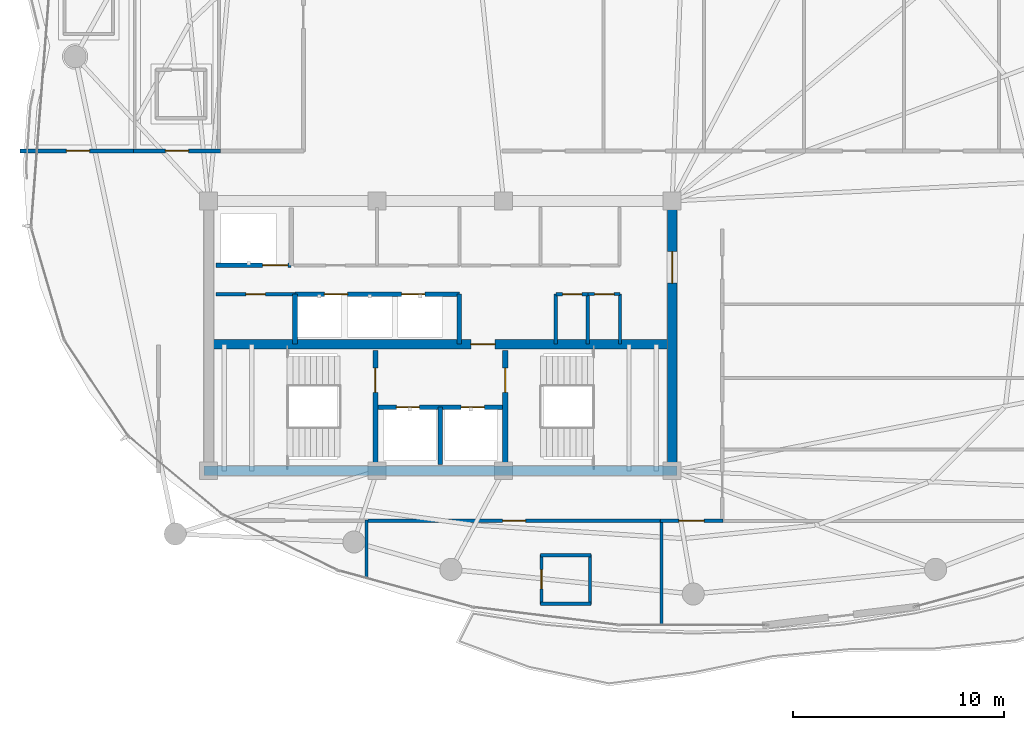
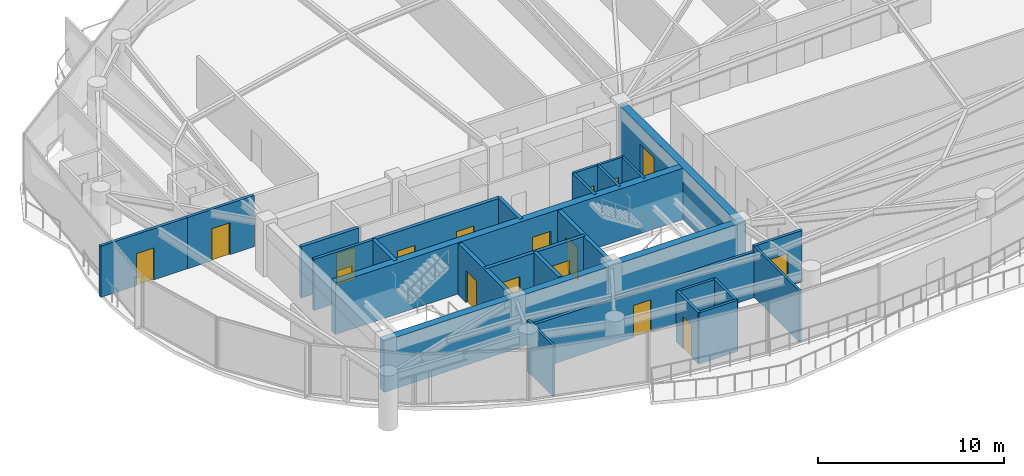
# One storey, part 25 of 31: 27 walls, 17 doors, 17 openings.
"""IFC4 building model written with IfcOpenShell, lengths in metres."""

from ifc_helpers import new_model, si_unit, direction, frame, frame_2d, origin, place, context, subcontext, project, spatial, rectangle, extrude, material, layer, layer_set, type_object, element, fill, save


model = new_model("IFC4")

# Units and contexts
model_context = context("Model", 3, precision=1e-05, world=origin(), true_north=direction((0.0, 1.0)))
body_context = subcontext(model_context, "Body", "Model", "MODEL_VIEW")
ifc_project = project(units=[si_unit("LENGTHUNIT", "METRE"), si_unit("AREAUNIT", "SQUARE_METRE"), si_unit("VOLUMEUNIT", "CUBIC_METRE"), si_unit("PLANEANGLEUNIT", "RADIAN"), si_unit("MASSUNIT", "GRAM", prefix="KILO")], contexts=[model_context])

# Site, building, storey
site_placement = place(None, origin())
site = spatial("IfcSite", under=ifc_project, at=site_placement, CompositionType="ELEMENT")
building_placement = place(site_placement, origin())
building = spatial("IfcBuilding", under=site, at=building_placement, Name="Kazevale Care Tower and Concert Hall", CompositionType="ELEMENT")
storey_placement = place(building_placement, frame((0.0, 0.0, 210.0)))
storey = spatial("IfcBuildingStorey", under=building, at=storey_placement, Name="L55", CompositionType="ELEMENT", Elevation=210.0)

# Wall
ifc_material_1 = material(Name="Acoustic Gypsum on Steel Stud", Category="steel")
ifc_layer_1 = layer(ifc_material_1, 0.139892578125)
ifc_layer_set_1 = layer_set([ifc_layer_1], Name="Acoustic Gypsum on Steel Stud")
wall_type_1 = type_object("IfcWallType", Name="Acoustic Care & Suite Partition 140", PredefinedType="PARTITIONING", material=ifc_layer_set_1)
wall_1_placement = place(storey_placement, frame((41.52001953125, 29.6201171875, 0.0), z_axis=(0.0, 0.0, 1.0), x_axis=(0.0, 1.0, 0.0)))
element("IfcWall", 1, at=wall_1_placement, inside=storey, type_object=wall_type_1, Name="wall:L55:ka_ee", PredefinedType="PARTITIONING", context=body_context, shape_type="SweptSolid", body=[
    extrude(rectangle(XDim=2.35986328125, YDim=0.139892578125, at=frame_2d((1.179931640625, 0.0))), origin(), (0.0, 0.0, 1.0), 3.360107421875),
])

# Wall, opening, door
wall_2_placement = place(storey_placement, frame((40.0, 31.97998046875, 0.0), z_axis=(0.0, 0.0, 1.0), x_axis=(1.0, 0.0, 0.0)))
wall_2 = element("IfcWall", 2, at=wall_2_placement, inside=storey, type_object=wall_type_1, Name="wall:L55:ka_en2", PredefinedType="PARTITIONING", context=body_context, shape_type="SweptSolid", body=[
    extrude(rectangle(XDim=1.52001953125, YDim=0.139892578125, at=frame_2d((0.760009765625, 0.0))), origin(), (0.0, 0.0, 1.0), 3.360107421875),
])
opening_1_placement = place(wall_2_placement, frame((0.320068359375, 0.0, 0.0)))
opening_1 = element("IfcOpeningElement", 3, at=opening_1_placement, cuts=wall_2, Name="Opening ID-900", PredefinedType="OPENING", context=body_context, shape_type="SweptSolid", body=[
    extrude(rectangle(XDim=0.919921875, YDim=2.10009765625, at=frame_2d((0.4599609375, 1.050048828125))), frame((0.0, 0.079833984375, 0.0), z_axis=(0.0, -1.0, 0.0), x_axis=(1.0, 0.0, 0.0)), (0.0, 0.0, 1.0), 0.159912109375),
])
ifc_material_2 = material(Name="Oak Timber Fire Leaf", Category="wood")
door_type_1 = type_object("IfcDoorType", Name="Bathroom & Service Door 920x2100", OperationType="NOTDEFINED", PredefinedType="DOOR", material=ifc_material_2)
door_1_placement = place(opening_1_placement, origin())
door_1 = element("IfcDoor", 4, at=door_1_placement, inside=storey, type_object=door_type_1, Name="door:L55:d_kae2", OperationType="SINGLE_SWING_RIGHT", OverallHeight=2.10009765625, OverallWidth=0.919921875, PredefinedType="DOOR", context=body_context, shape_type="SweptSolid", body=[
    extrude(rectangle(XDim=0.919921875, YDim=2.10009765625, at=frame_2d((0.4599609375, 1.050048828125))), frame((0.0, 0.02490234375, 0.0), z_axis=(0.0, -1.0, 0.0), x_axis=(1.0, 0.0, 0.0)), (0.0, 0.0, 1.0), 0.050048828125),
])
fill(opening_1, door_1)

# Walls
wall_3_placement = place(storey_placement, frame((29.5, 21.2548828125, 0.0), z_axis=(0.0, 0.0, 1.0), x_axis=(0.0, -1.0, 0.0)))
element("IfcWall", 5, at=wall_3_placement, inside=storey, type_object=wall_type_1, Name="wall:L55:auto_031", PredefinedType="PARTITIONING", context=body_context, shape_type="SweptSolid", body=[
    extrude(rectangle(XDim=2.7412109375, YDim=0.139892578125, at=frame_2d((1.37060546875, 0.0))), origin(), (0.0, 0.0, 1.0), 3.360107421875),
])
wall_4_placement = place(storey_placement, frame((43.5, 21.2548828125, 0.0), z_axis=(0.0, 0.0, 1.0), x_axis=(0.0, -1.0, 0.0)))
element("IfcWall", 6, at=wall_4_placement, inside=storey, type_object=wall_type_1, Name="wall:L55:auto_032", PredefinedType="PARTITIONING", context=body_context, shape_type="SweptSolid", body=[
    extrude(rectangle(XDim=4.9599609375, YDim=0.139892578125, at=frame_2d((2.47998046875, 0.0))), origin(), (0.0, 0.0, 1.0), 3.360107421875),
])
ifc_material_3 = material(Name="Concrete C50", Category="concrete")
ifc_layer_2 = layer(ifc_material_3, 0.449951171875)
ifc_layer_set_2 = layer_set([ifc_layer_2], Name="Concrete C50")
wall_type_2 = type_object("IfcWallType", Name="Core Shear Wall 450 C50", PredefinedType="SHEAR", material=ifc_layer_set_2)
wall_5_placement = place(storey_placement, frame((21.77490234375, 23.60009765625, 0.0), z_axis=(0.0, 0.0, 1.0), x_axis=(1.0, 0.0, 0.0)))
element("IfcWall", 7, at=wall_5_placement, inside=storey, type_object=wall_type_2, Name="wall:L55:core:S", PredefinedType="SHEAR", context=body_context, shape_type="SweptSolid", body=[
    extrude(rectangle(XDim=22.4501953125, YDim=0.449951171875, at=frame_2d((11.22509765625, 0.0))), origin(), (0.0, 0.0, 1.0), 3.360107421875),
])

# Wall, opening, door
wall_6_placement = place(storey_placement, frame((44.0, 23.824951171875, 0.0), z_axis=(0.0, 0.0, 1.0), x_axis=(0.0, 1.0, 0.0)))
wall_6 = element("IfcWall", 8, at=wall_6_placement, inside=storey, type_object=wall_type_2, Name="wall:L55:core:E", PredefinedType="SHEAR", context=body_context, shape_type="SweptSolid", body=[
    extrude(rectangle(XDim=12.35009765625, YDim=0.449951171875, at=frame_2d((6.175048828125, 0.0))), origin(), (0.0, 0.0, 1.0), 3.360107421875),
])
opening_2_placement = place(wall_6_placement, frame((8.675048828125, 0.0, 0.0)))
opening_2 = element("IfcOpeningElement", 9, at=opening_2_placement, cuts=wall_6, Name="Opening FD-60D", PredefinedType="OPENING", context=body_context, shape_type="SweptSolid", body=[
    extrude(rectangle(XDim=1.5, YDim=2.14990234375, at=frame_2d((0.75, 1.074951171875))), frame((0.0, 0.23486328125, 0.0), z_axis=(0.0, -1.0, 0.0), x_axis=(1.0, 0.0, 0.0)), (0.0, 0.0, 1.0), 0.469970703125),
])
door_type_2 = type_object("IfcDoorType", Name="Double Lobby & Auditorium Fire Door 1500x2150", OperationType="NOTDEFINED", PredefinedType="DOOR", material=ifc_material_2)
door_2_placement = place(opening_2_placement, origin())
door_2 = element("IfcDoor", 10, at=door_2_placement, inside=storey, type_object=door_type_2, Name="door:L55:core_east_out", OperationType="DOUBLE_DOOR_SINGLE_SWING", OverallHeight=2.14990234375, OverallWidth=1.5, PredefinedType="DOOR", context=body_context, shape_type="SweptSolid", body=[
    extrude(rectangle(XDim=1.5, YDim=2.14990234375, at=frame_2d((0.75, 1.074951171875))), frame((0.0, 0.02490234375, 0.0), z_axis=(0.0, -1.0, 0.0), x_axis=(1.0, 0.0, 0.0)), (0.0, 0.0, 1.0), 0.050048828125),
])
fill(opening_2, door_2)

wall_7_placement = place(storey_placement, frame((22.22509765625, 29.60009765625, 0.0), z_axis=(0.0, 0.0, 1.0), x_axis=(1.0, 0.0, 0.0)))
wall_7 = element("IfcWall", 11, at=wall_7_placement, inside=storey, type_object=wall_type_2, Name="wall:L55:core:M", PredefinedType="SHEAR", context=body_context, shape_type="SweptSolid", body=[
    extrude(rectangle(XDim=21.5498046875, YDim=0.449951171875, at=frame_2d((10.77490234375, 0.0))), origin(), (0.0, 0.0, 1.0), 3.360107421875),
])
opening_3_placement = place(wall_7_placement, frame((12.22509765625, 0.0, 0.0)))
opening_3 = element("IfcOpeningElement", 12, at=opening_3_placement, cuts=wall_7, Name="Opening FD-90", PredefinedType="OPENING", context=body_context, shape_type="SweptSolid", body=[
    extrude(rectangle(XDim=1.14990234375, YDim=2.10009765625, at=frame_2d((0.574951171875, 1.050048828125))), frame((0.0, 0.23486328125, 0.0), z_axis=(0.0, -1.0, 0.0), x_axis=(1.0, 0.0, 0.0)), (0.0, 0.0, 1.0), 0.469970703125),
])
ifc_material_4 = material(Name="Steel ASTM A572 Gr 50", Category="steel")
door_type_3 = type_object("IfcDoorType", Name="Pressurized Stair & Lobby Fire Door 1150x2100", OperationType="NOTDEFINED", PredefinedType="DOOR", material=ifc_material_4)
door_3_placement = place(opening_3_placement, origin())
door_3 = element("IfcDoor", 13, at=door_3_placement, inside=storey, type_object=door_type_3, Name="door:L55:ff_to_pax", OperationType="SINGLE_SWING_LEFT", OverallHeight=2.10009765625, OverallWidth=1.14990234375, PredefinedType="DOOR", context=body_context, shape_type="SweptSolid", body=[
    extrude(rectangle(XDim=1.14990234375, YDim=2.10009765625, at=frame_2d((0.574951171875, 1.050048828125))), frame((0.0, 0.02490234375, 0.0), z_axis=(0.0, -1.0, 0.0), x_axis=(1.0, 0.0, 0.0)), (0.0, 0.0, 1.0), 0.050048828125),
])
fill(opening_3, door_3)

# Wall, openings, doors
ifc_material_5 = material(Name="Concrete C40", Category="concrete")
ifc_layer_3 = layer(ifc_material_5, 0.219970703125)
ifc_layer_set_3 = layer_set([ifc_layer_3], Name="Concrete C40")
wall_type_3 = type_object("IfcWallType", Name="Elevator Hoistway Shaft Wall 220", PredefinedType="SOLIDWALL", material=ifc_layer_set_3)
wall_8_placement = place(storey_placement, frame((29.919921875, 26.6201171875, 0.0), z_axis=(0.0, 0.0, 1.0), x_axis=(1.0, 0.0, 0.0)))
wall_8 = element("IfcWall", 14, at=wall_8_placement, inside=storey, type_object=wall_type_3, Name="wall:L55:c_ffl_n", PredefinedType="SOLIDWALL", context=body_context, shape_type="SweptSolid", body=[
    extrude(rectangle(XDim=6.16015625, YDim=0.219970703125, at=frame_2d((3.080078125, 0.0))), origin(), (0.0, 0.0, 1.0), 3.360107421875),
])
opening_4_placement = place(wall_8_placement, frame((0.989990234375, 0.0, 0.0)))
opening_4 = element("IfcOpeningElement", 15, at=opening_4_placement, cuts=wall_8, Name="Opening LD-FF", PredefinedType="OPENING", context=body_context, shape_type="SweptSolid", body=[
    extrude(rectangle(XDim=1.10009765625, YDim=2.10009765625, at=frame_2d((0.550048828125, 1.050048828125))), frame((0.0, 0.119873046875, 0.0), z_axis=(0.0, -1.0, 0.0), x_axis=(1.0, 0.0, 0.0)), (0.0, 0.0, 1.0), 0.239990234375),
])
opening_5_placement = place(wall_8_placement, frame((4.070068359375, 0.0, 0.0)))
opening_5 = element("IfcOpeningElement", 16, at=opening_5_placement, cuts=wall_8, Name="Opening LD-FF", PredefinedType="OPENING", context=body_context, shape_type="SweptSolid", body=[
    extrude(rectangle(XDim=1.10009765625, YDim=2.10009765625, at=frame_2d((0.550048828125, 1.050048828125))), frame((0.0, 0.119873046875, 0.0), z_axis=(0.0, -1.0, 0.0), x_axis=(1.0, 0.0, 0.0)), (0.0, 0.0, 1.0), 0.239990234375),
])
ifc_material_6 = material(Name="Stainless Steel 316", Category="steel")
door_type_4 = type_object("IfcDoorType", Name="Emergency Lift Sliding Landing Door 1100x2100", OperationType="NOTDEFINED", PredefinedType="DOOR", material=ifc_material_6)
door_4_placement = place(opening_4_placement, origin())
door_4 = element("IfcDoor", 17, at=door_4_placement, inside=storey, type_object=door_type_4, Name="door:L55:ld_ffl1", OperationType="SLIDING_TO_LEFT", OverallHeight=2.10009765625, OverallWidth=1.10009765625, PredefinedType="DOOR", context=body_context, shape_type="SweptSolid", body=[
    extrude(rectangle(XDim=1.10009765625, YDim=2.10009765625, at=frame_2d((0.550048828125, 1.050048828125))), frame((0.0, 0.02490234375, 0.0), z_axis=(0.0, -1.0, 0.0), x_axis=(1.0, 0.0, 0.0)), (0.0, 0.0, 1.0), 0.050048828125),
])
fill(opening_4, door_4)
door_5_placement = place(opening_5_placement, origin())
door_5 = element("IfcDoor", 18, at=door_5_placement, inside=storey, type_object=door_type_4, Name="door:L55:ld_ffl2", OperationType="SLIDING_TO_RIGHT", OverallHeight=2.10009765625, OverallWidth=1.10009765625, PredefinedType="DOOR", context=body_context, shape_type="SweptSolid", body=[
    extrude(rectangle(XDim=1.10009765625, YDim=2.10009765625, at=frame_2d((0.550048828125, 1.050048828125))), frame((0.0, 0.02490234375, 0.0), z_axis=(0.0, -1.0, 0.0), x_axis=(1.0, 0.0, 0.0)), (0.0, 0.0, 1.0), 0.050048828125),
])
fill(opening_5, door_5)

# Wall
wall_9_placement = place(storey_placement, frame((33.0, 23.89990234375, 0.0), z_axis=(0.0, 0.0, 1.0), x_axis=(0.0, 1.0, 0.0)))
element("IfcWall", 19, at=wall_9_placement, inside=storey, type_object=wall_type_3, Name="wall:L55:c_ffl_m", PredefinedType="SOLIDWALL", context=body_context, shape_type="SweptSolid", body=[
    extrude(rectangle(XDim=2.72021484375, YDim=0.219970703125, at=frame_2d((1.360107421875, 0.0))), origin(), (0.0, 0.0, 1.0), 3.360107421875),
])

# Wall, opening, door
wall_10_placement = place(storey_placement, frame((22.35009765625, 33.35009765625, 0.0), z_axis=(0.0, 0.0, 1.0), x_axis=(1.0, 0.0, 0.0)))
wall_10 = element("IfcWall", 20, at=wall_10_placement, inside=storey, type_object=wall_type_3, Name="wall:L55:c_svl_s", PredefinedType="SOLIDWALL", context=body_context, shape_type="SweptSolid", body=[
    extrude(rectangle(XDim=3.56982421875, YDim=0.219970703125, at=frame_2d((1.784912109375, 0.0))), origin(), (0.0, 0.0, 1.0), 3.360107421875),
])
opening_6_placement = place(wall_10_placement, frame((2.212890625, 0.0, 0.0)))
opening_6 = element("IfcOpeningElement", 21, at=opening_6_placement, cuts=wall_10, Name="Opening LD-SV", PredefinedType="OPENING", context=body_context, shape_type="SweptSolid", body=[
    extrude(rectangle(XDim=1.199951171875, YDim=2.10009765625, at=frame_2d((0.60009765625, 1.050048828125))), frame((0.0, 0.119873046875, 0.0), z_axis=(0.0, -1.0, 0.0), x_axis=(1.0, 0.0, 0.0)), (0.0, 0.0, 1.0), 0.239990234375),
])
door_type_5 = type_object("IfcDoorType", Name="Service Lift Sliding Landing Door 1200x2100", OperationType="NOTDEFINED", PredefinedType="DOOR", material=ifc_material_6)
door_6_placement = place(opening_6_placement, origin())
door_6 = element("IfcDoor", 22, at=door_6_placement, inside=storey, type_object=door_type_5, Name="door:L55:ld_svl1", OperationType="SLIDING_TO_LEFT", OverallHeight=2.10009765625, OverallWidth=1.199951171875, PredefinedType="DOOR", context=body_context, shape_type="SweptSolid", body=[
    extrude(rectangle(XDim=1.199951171875, YDim=2.10009765625, at=frame_2d((0.60009765625, 1.050048828125))), frame((0.0, 0.02490234375, 0.0), z_axis=(0.0, -1.0, 0.0), x_axis=(1.0, 0.0, 0.0)), (0.0, 0.0, 1.0), 0.050048828125),
])
fill(opening_6, door_6)

# Wall
wall_11_placement = place(storey_placement, frame((26.10009765625, 29.6201171875, 0.0), z_axis=(0.0, 0.0, 1.0), x_axis=(0.0, 1.0, 0.0)))
element("IfcWall", 23, at=wall_11_placement, inside=storey, type_object=wall_type_3, Name="wall:L55:c_ph_w", PredefinedType="SOLIDWALL", context=body_context, shape_type="SweptSolid", body=[
    extrude(rectangle(XDim=2.35986328125, YDim=0.219970703125, at=frame_2d((1.179931640625, 0.0))), origin(), (0.0, 0.0, 1.0), 3.360107421875),
])

# Wall, openings, doors
wall_12_placement = place(storey_placement, frame((26.10009765625, 31.97998046875, 0.0), z_axis=(0.0, 0.0, 1.0), x_axis=(1.0, 0.0, 0.0)))
wall_12 = element("IfcWall", 24, at=wall_12_placement, inside=storey, type_object=wall_type_3, Name="wall:L55:c_ph_n", PredefinedType="SOLIDWALL", context=body_context, shape_type="SweptSolid", body=[
    extrude(rectangle(XDim=7.7998046875, YDim=0.219970703125, at=frame_2d((3.89990234375, 0.0))), origin(), (0.0, 0.0, 1.0), 3.360107421875),
])
opening_7_placement = place(wall_12_placement, frame((1.39990234375, 0.0, 0.0)))
opening_7 = element("IfcOpeningElement", 25, at=opening_7_placement, cuts=wall_12, Name="Opening LD-PAX", PredefinedType="OPENING", context=body_context, shape_type="SweptSolid", body=[
    extrude(rectangle(XDim=1.10009765625, YDim=2.10009765625, at=frame_2d((0.550048828125, 1.050048828125))), frame((0.0, 0.119873046875, 0.0), z_axis=(0.0, -1.0, 0.0), x_axis=(1.0, 0.0, 0.0)), (0.0, 0.0, 1.0), 0.239990234375),
])
opening_8_placement = place(wall_12_placement, frame((5.06591796875, 0.0, 0.0)))
opening_8 = element("IfcOpeningElement", 26, at=opening_8_placement, cuts=wall_12, Name="Opening LD-PAX", PredefinedType="OPENING", context=body_context, shape_type="SweptSolid", body=[
    extrude(rectangle(XDim=1.10009765625, YDim=2.10009765625, at=frame_2d((0.550048828125, 1.050048828125))), frame((0.0, 0.119873046875, 0.0), z_axis=(0.0, -1.0, 0.0), x_axis=(1.0, 0.0, 0.0)), (0.0, 0.0, 1.0), 0.239990234375),
])
door_type_6 = type_object("IfcDoorType", Name="Passenger Lift Sliding Landing Door 1100x2100", OperationType="NOTDEFINED", PredefinedType="DOOR", material=ifc_material_6)
door_7_placement = place(opening_7_placement, origin())
door_7 = element("IfcDoor", 27, at=door_7_placement, inside=storey, type_object=door_type_6, Name="door:L55:ld_ph1", OperationType="SLIDING_TO_LEFT", OverallHeight=2.10009765625, OverallWidth=1.10009765625, PredefinedType="DOOR", context=body_context, shape_type="SweptSolid", body=[
    extrude(rectangle(XDim=1.10009765625, YDim=2.10009765625, at=frame_2d((0.550048828125, 1.050048828125))), frame((0.0, 0.02490234375, 0.0), z_axis=(0.0, -1.0, 0.0), x_axis=(1.0, 0.0, 0.0)), (0.0, 0.0, 1.0), 0.050048828125),
])
fill(opening_7, door_7)
door_8_placement = place(opening_8_placement, origin())
door_8 = element("IfcDoor", 28, at=door_8_placement, inside=storey, type_object=door_type_6, Name="door:L55:ld_ph2", OperationType="SLIDING_TO_RIGHT", OverallHeight=2.10009765625, OverallWidth=1.10009765625, PredefinedType="DOOR", context=body_context, shape_type="SweptSolid", body=[
    extrude(rectangle(XDim=1.10009765625, YDim=2.10009765625, at=frame_2d((0.550048828125, 1.050048828125))), frame((0.0, 0.02490234375, 0.0), z_axis=(0.0, -1.0, 0.0), x_axis=(1.0, 0.0, 0.0)), (0.0, 0.0, 1.0), 0.050048828125),
])
fill(opening_8, door_8)

# Wall
wall_13_placement = place(storey_placement, frame((33.89990234375, 29.6201171875, 0.0), z_axis=(0.0, 0.0, 1.0), x_axis=(0.0, 1.0, 0.0)))
element("IfcWall", 29, at=wall_13_placement, inside=storey, type_object=wall_type_3, Name="wall:L55:c_ph_e", PredefinedType="SOLIDWALL", context=body_context, shape_type="SweptSolid", body=[
    extrude(rectangle(XDim=2.35986328125, YDim=0.219970703125, at=frame_2d((1.179931640625, 0.0))), origin(), (0.0, 0.0, 1.0), 3.360107421875),
])

# Wall, opening, door
ifc_material_7 = material(Name="Concrete C40 and Acoustic Gypsum", Category="concrete")
ifc_layer_4 = layer(ifc_material_7, 0.179931640625)
ifc_layer_set_4 = layer_set([ifc_layer_4], Name="Concrete C40 and Acoustic Gypsum")
wall_type_4 = type_object("IfcWallType", Name="Fire-Rated Corridor & Party Wall 180", PredefinedType="PARTITIONING", material=ifc_layer_set_4)
wall_14_placement = place(storey_placement, frame((22.35009765625, 31.97998046875, 0.0), z_axis=(0.0, 0.0, 1.0), x_axis=(1.0, 0.0, 0.0)))
wall_14 = element("IfcWall", 30, at=wall_14_placement, inside=storey, type_object=wall_type_4, Name="wall:L55:ka_wn1", PredefinedType="PARTITIONING", context=body_context, shape_type="SweptSolid", body=[
    extrude(rectangle(XDim=3.75, YDim=0.179931640625, at=frame_2d((1.875, 0.0))), origin(), (0.0, 0.0, 1.0), 3.360107421875),
])
opening_9_placement = place(wall_14_placement, frame((1.425048828125, 0.0, 0.0)))
opening_9 = element("IfcOpeningElement", 31, at=opening_9_placement, cuts=wall_14, Name="Opening ID-900", PredefinedType="OPENING", context=body_context, shape_type="SweptSolid", body=[
    extrude(rectangle(XDim=0.919921875, YDim=2.10009765625, at=frame_2d((0.4599609375, 1.050048828125))), frame((0.0, 0.099853515625, 0.0), z_axis=(0.0, -1.0, 0.0), x_axis=(1.0, 0.0, 0.0)), (0.0, 0.0, 1.0), 0.199951171875),
])
door_9_placement = place(opening_9_placement, origin())
door_9 = element("IfcDoor", 32, at=door_9_placement, inside=storey, type_object=door_type_1, Name="door:L55:d_kaw", OperationType="SINGLE_SWING_LEFT", OverallHeight=2.10009765625, OverallWidth=0.919921875, PredefinedType="DOOR", context=body_context, shape_type="SweptSolid", body=[
    extrude(rectangle(XDim=0.919921875, YDim=2.10009765625, at=frame_2d((0.4599609375, 1.050048828125))), frame((0.0, 0.02490234375, 0.0), z_axis=(0.0, -1.0, 0.0), x_axis=(1.0, 0.0, 0.0)), (0.0, 0.0, 1.0), 0.050048828125),
])
fill(opening_9, door_9)

wall_15_placement = place(storey_placement, frame((13.053955078125, 38.77490234375, 0.0), z_axis=(0.0, 0.0, 1.0), x_axis=(1.0, 0.0, 0.0)))
wall_15 = element("IfcWall", 33, at=wall_15_placement, inside=storey, type_object=wall_type_4, Name="wall:L55:auto_001", PredefinedType="PARTITIONING", context=body_context, shape_type="SweptSolid", body=[
    extrude(rectangle(XDim=5.510986328125, YDim=0.179931640625, at=frame_2d((2.75537109375, 0.0))), origin(), (0.0, 0.0, 1.0), 3.360107421875),
])
opening_10_placement = place(wall_15_placement, frame((2.205078125, 0.0, 0.0)))
opening_10 = element("IfcOpeningElement", 34, at=opening_10_placement, cuts=wall_15, Name="Opening ID-1100", PredefinedType="OPENING", context=body_context, shape_type="SweptSolid", body=[
    extrude(rectangle(XDim=1.10009765625, YDim=2.10009765625, at=frame_2d((0.550048828125, 1.050048828125))), frame((0.0, 0.099853515625, 0.0), z_axis=(0.0, -1.0, 0.0), x_axis=(1.0, 0.0, 0.0)), (0.0, 0.0, 1.0), 0.199951171875),
])
door_type_7 = type_object("IfcDoorType", Name="Care Bedroom Accessible Door 1100x2100", OperationType="NOTDEFINED", PredefinedType="DOOR", material=ifc_material_2)
door_10_placement = place(opening_10_placement, origin())
door_10 = element("IfcDoor", 35, at=door_10_placement, inside=storey, type_object=door_type_7, Name="door:L55:ad_001", OperationType="SINGLE_SWING_LEFT", OverallHeight=2.10009765625, OverallWidth=1.10009765625, PredefinedType="DOOR", context=body_context, shape_type="SweptSolid", body=[
    extrude(rectangle(XDim=1.10009765625, YDim=2.10009765625, at=frame_2d((0.550048828125, 1.050048828125))), frame((0.0, 0.02490234375, 0.0), z_axis=(0.0, -1.0, 0.0), x_axis=(1.0, 0.0, 0.0)), (0.0, 0.0, 1.0), 0.050048828125),
])
fill(opening_10, door_10)

wall_16_placement = place(storey_placement, frame((18.43505859375, 38.77490234375, 0.0), z_axis=(0.0, 0.0, 1.0), x_axis=(1.0, 0.0, 0.0)))
wall_16 = element("IfcWall", 36, at=wall_16_placement, inside=storey, type_object=wall_type_4, Name="wall:L55:auto_002", PredefinedType="PARTITIONING", context=body_context, shape_type="SweptSolid", body=[
    extrude(rectangle(XDim=4.1298828125, YDim=0.179931640625, at=frame_2d((2.06494140625, 0.0))), origin(), (0.0, 0.0, 1.0), 3.360107421875),
])
opening_11_placement = place(wall_16_placement, frame((1.514892578125, 0.0, 0.0)))
opening_11 = element("IfcOpeningElement", 37, at=opening_11_placement, cuts=wall_16, Name="Opening ID-1100", PredefinedType="OPENING", context=body_context, shape_type="SweptSolid", body=[
    extrude(rectangle(XDim=1.10009765625, YDim=2.10009765625, at=frame_2d((0.550048828125, 1.050048828125))), frame((0.0, 0.099853515625, 0.0), z_axis=(0.0, -1.0, 0.0), x_axis=(1.0, 0.0, 0.0)), (0.0, 0.0, 1.0), 0.199951171875),
])
door_11_placement = place(opening_11_placement, origin())
door_11 = element("IfcDoor", 38, at=door_11_placement, inside=storey, type_object=door_type_7, Name="door:L55:ad_002", OperationType="SINGLE_SWING_LEFT", OverallHeight=2.10009765625, OverallWidth=1.10009765625, PredefinedType="DOOR", context=body_context, shape_type="SweptSolid", body=[
    extrude(rectangle(XDim=1.10009765625, YDim=2.10009765625, at=frame_2d((0.550048828125, 1.050048828125))), frame((0.0, 0.02490234375, 0.0), z_axis=(0.0, -1.0, 0.0), x_axis=(1.0, 0.0, 0.0)), (0.0, 0.0, 1.0), 0.050048828125),
])
fill(opening_11, door_11)

wall_17_placement = place(storey_placement, frame((43.56494140625, 21.22509765625, 0.0), z_axis=(0.0, 0.0, 1.0), x_axis=(-1.0, 0.0, 0.0)))
wall_17 = element("IfcWall", 39, at=wall_17_placement, inside=storey, type_object=wall_type_4, Name="wall:L55:auto_016", PredefinedType="PARTITIONING", context=body_context, shape_type="SweptSolid", body=[
    extrude(rectangle(XDim=14.1298828125, YDim=0.179931640625, at=frame_2d((7.06494140625, 0.0))), origin(), (0.0, 0.0, 1.0), 2.99609375),
])
opening_12_placement = place(wall_17_placement, frame((6.514892578125, 0.0, 0.0)))
opening_12 = element("IfcOpeningElement", 40, at=opening_12_placement, cuts=wall_17, Name="Opening ID-1100", PredefinedType="OPENING", context=body_context, shape_type="SweptSolid", body=[
    extrude(rectangle(XDim=1.10009765625, YDim=2.10009765625, at=frame_2d((0.550048828125, 1.050048828125))), frame((0.0, 0.099853515625, 0.0), z_axis=(0.0, -1.0, 0.0), x_axis=(1.0, 0.0, 0.0)), (0.0, 0.0, 1.0), 0.199951171875),
])
door_12_placement = place(opening_12_placement, origin())
door_12 = element("IfcDoor", 41, at=door_12_placement, inside=storey, type_object=door_type_7, Name="door:L55:ad_016", OperationType="SINGLE_SWING_LEFT", OverallHeight=2.10009765625, OverallWidth=1.10009765625, PredefinedType="DOOR", context=body_context, shape_type="SweptSolid", body=[
    extrude(rectangle(XDim=1.10009765625, YDim=2.10009765625, at=frame_2d((0.550048828125, 1.050048828125))), frame((0.0, 0.02490234375, 0.0), z_axis=(0.0, -1.0, 0.0), x_axis=(1.0, 0.0, 0.0)), (0.0, 0.0, 1.0), 0.050048828125),
])
fill(opening_12, door_12)

wall_18_placement = place(storey_placement, frame((46.405029296875, 21.22509765625, 0.0), z_axis=(0.0, 0.0, 1.0), x_axis=(-1.0, 0.0, 0.0)))
wall_18 = element("IfcWall", 42, at=wall_18_placement, inside=storey, type_object=wall_type_4, Name="wall:L55:auto_017", PredefinedType="PARTITIONING", context=body_context, shape_type="SweptSolid", body=[
    extrude(rectangle(XDim=2.969970703125, YDim=0.179931640625, at=frame_2d((1.48486328125, 0.0))), origin(), (0.0, 0.0, 1.0), 3.360107421875),
])
opening_13_placement = place(wall_18_placement, frame((0.885009765625, 0.0, 0.0)))
opening_13 = element("IfcOpeningElement", 43, at=opening_13_placement, cuts=wall_18, Name="Opening ID-1200", PredefinedType="OPENING", context=body_context, shape_type="SweptSolid", body=[
    extrude(rectangle(XDim=1.199951171875, YDim=2.14990234375, at=frame_2d((0.60009765625, 1.074951171875))), frame((0.0, 0.099853515625, 0.0), z_axis=(0.0, -1.0, 0.0), x_axis=(1.0, 0.0, 0.0)), (0.0, 0.0, 1.0), 0.199951171875),
])
door_type_8 = type_object("IfcDoorType", Name="Clinical & Therapy Door 1200x2150", OperationType="NOTDEFINED", PredefinedType="DOOR", material=ifc_material_2)
door_13_placement = place(opening_13_placement, origin())
door_13 = element("IfcDoor", 44, at=door_13_placement, inside=storey, type_object=door_type_8, Name="door:L55:ad_017", OperationType="SINGLE_SWING_LEFT", OverallHeight=2.14990234375, OverallWidth=1.199951171875, PredefinedType="DOOR", context=body_context, shape_type="SweptSolid", body=[
    extrude(rectangle(XDim=1.199951171875, YDim=2.14990234375, at=frame_2d((0.60009765625, 1.074951171875))), frame((0.0, 0.02490234375, 0.0), z_axis=(0.0, -1.0, 0.0), x_axis=(1.0, 0.0, 0.0)), (0.0, 0.0, 1.0), 0.050048828125),
])
fill(opening_13, door_13)

# Walls
ifc_layer_5 = layer(ifc_material_1, 0.159912109375)
ifc_layer_set_5 = layer_set([ifc_layer_5], Name="Acoustic Gypsum on Steel Stud")
wall_type_5 = type_object("IfcWallType", Name="Moisture-Resistant Bathroom Plumbing Wall 160", PredefinedType="PLUMBINGWALL", material=ifc_layer_set_5)
for number, where, z_axis, x_axis, name in (
    (45, (38.47998046875, 29.6201171875, 0.0), (0.0, 0.0, 1.0), (0.0, 1.0, 0.0), "wall:L55:ka_ew"),
    (46, (40.0, 29.6201171875, 0.0), (0.0, 0.0, 1.0), (0.0, 1.0, 0.0), "wall:L55:ka_em"),
):
    element("IfcWall", number, at=place(storey_placement, frame(where, z_axis=z_axis, x_axis=x_axis)), inside=storey, type_object=wall_type_5, Name=name, PredefinedType="PLUMBINGWALL", context=body_context, shape_type="SweptSolid", body=[
        extrude(rectangle(XDim=2.35986328125, YDim=0.159912109375, at=frame_2d((1.179931640625, 0.0))), origin(), (0.0, 0.0, 1.0), 3.360107421875),
    ])

# Wall, opening, door
wall_19_placement = place(storey_placement, frame((38.47998046875, 31.97998046875, 0.0), z_axis=(0.0, 0.0, 1.0), x_axis=(1.0, 0.0, 0.0)))
wall_19 = element("IfcWall", 47, at=wall_19_placement, inside=storey, type_object=wall_type_5, Name="wall:L55:ka_en1", PredefinedType="PLUMBINGWALL", context=body_context, shape_type="SweptSolid", body=[
    extrude(rectangle(XDim=1.52001953125, YDim=0.159912109375, at=frame_2d((0.760009765625, 0.0))), origin(), (0.0, 0.0, 1.0), 3.360107421875),
])
opening_14_placement = place(wall_19_placement, frame((0.320068359375, 0.0, 0.0)))
opening_14 = element("IfcOpeningElement", 48, at=opening_14_placement, cuts=wall_19, Name="Opening ID-900", PredefinedType="OPENING", context=body_context, shape_type="SweptSolid", body=[
    extrude(rectangle(XDim=0.919921875, YDim=2.10009765625, at=frame_2d((0.4599609375, 1.050048828125))), frame((0.0, 0.08984375, 0.0), z_axis=(0.0, -1.0, 0.0), x_axis=(1.0, 0.0, 0.0)), (0.0, 0.0, 1.0), 0.179931640625),
])
door_14_placement = place(opening_14_placement, origin())
door_14 = element("IfcDoor", 49, at=door_14_placement, inside=storey, type_object=door_type_1, Name="door:L55:d_kae1", OperationType="SINGLE_SWING_LEFT", OverallHeight=2.10009765625, OverallWidth=0.919921875, PredefinedType="DOOR", context=body_context, shape_type="SweptSolid", body=[
    extrude(rectangle(XDim=0.919921875, YDim=2.10009765625, at=frame_2d((0.4599609375, 1.050048828125))), frame((0.0, 0.02490234375, 0.0), z_axis=(0.0, -1.0, 0.0), x_axis=(1.0, 0.0, 0.0)), (0.0, 0.0, 1.0), 0.050048828125),
])
fill(opening_14, door_14)

# Walls
for number, where, z_axis, x_axis, name in (
    (50, (37.760009765625, 17.291015625, 0.0), (0.0, 0.0, 1.0), (1.0, 0.0, 0.0), "wall:L55:sb2_ens_ws"),
    (51, (37.760009765625, 19.591064453125, 0.0), (0.0, 0.0, 1.0), (1.0, 0.0, 0.0), "wall:L55:sb2_ens_wn"),
):
    element("IfcWall", number, at=place(storey_placement, frame(where, z_axis=z_axis, x_axis=x_axis)), inside=storey, type_object=wall_type_5, Name=name, PredefinedType="PLUMBINGWALL", context=body_context, shape_type="SweptSolid", body=[
        extrude(rectangle(XDim=2.3798828125, YDim=0.159912109375, at=frame_2d((1.18994140625, 0.0))), origin(), (0.0, 0.0, 1.0), 3.360107421875),
    ])

# Wall, opening, door
wall_20_placement = place(storey_placement, frame((37.800048828125, 17.2509765625, 0.0), z_axis=(0.0, 0.0, 1.0), x_axis=(0.0, 1.0, 0.0)))
wall_20 = element("IfcWall", 52, at=wall_20_placement, inside=storey, type_object=wall_type_5, Name="wall:L55:sb2_ens_ww", PredefinedType="PLUMBINGWALL", context=body_context, shape_type="SweptSolid", body=[
    extrude(rectangle(XDim=2.380126953125, YDim=0.159912109375, at=frame_2d((1.18994140625, 0.0))), origin(), (0.0, 0.0, 1.0), 3.360107421875),
])
opening_15_placement = place(wall_20_placement, frame((0.739990234375, 0.0, 0.0)))
opening_15 = element("IfcOpeningElement", 53, at=opening_15_placement, cuts=wall_20, Name="Opening ID-900", PredefinedType="OPENING", context=body_context, shape_type="SweptSolid", body=[
    extrude(rectangle(XDim=0.919921875, YDim=2.10009765625, at=frame_2d((0.4599609375, 1.050048828125))), frame((0.0, 0.08984375, 0.0), z_axis=(0.0, -1.0, 0.0), x_axis=(1.0, 0.0, 0.0)), (0.0, 0.0, 1.0), 0.179931640625),
])
door_15_placement = place(opening_15_placement, origin())
door_15 = element("IfcDoor", 54, at=door_15_placement, inside=storey, type_object=door_type_1, Name="door:L55:sb2_ens_d", OperationType="SINGLE_SWING_LEFT", OverallHeight=2.10009765625, OverallWidth=0.919921875, PredefinedType="DOOR", context=body_context, shape_type="SweptSolid", body=[
    extrude(rectangle(XDim=0.919921875, YDim=2.10009765625, at=frame_2d((0.4599609375, 1.050048828125))), frame((0.0, 0.02490234375, 0.0), z_axis=(0.0, -1.0, 0.0), x_axis=(1.0, 0.0, 0.0)), (0.0, 0.0, 1.0), 0.050048828125),
])
fill(opening_15, door_15)

# Wall
wall_21_placement = place(storey_placement, frame((40.10009765625, 17.2509765625, 0.0), z_axis=(0.0, 0.0, 1.0), x_axis=(0.0, 1.0, 0.0)))
element("IfcWall", 55, at=wall_21_placement, inside=storey, type_object=wall_type_5, Name="wall:L55:sb2_ens_we", PredefinedType="PLUMBINGWALL", context=body_context, shape_type="SweptSolid", body=[
    extrude(rectangle(XDim=2.380126953125, YDim=0.159912109375, at=frame_2d((1.18994140625, 0.0))), origin(), (0.0, 0.0, 1.0), 3.360107421875),
])

# Wall, opening, door
ifc_layer_6 = layer(ifc_material_5, 0.25)
ifc_layer_set_6 = layer_set([ifc_layer_6], Name="Concrete C40")
wall_type_6 = type_object("IfcWallType", Name="Pressurized Stair Shaft Wall 250", PredefinedType="SOLIDWALL", material=ifc_layer_set_6)
wall_22_placement = place(storey_placement, frame((29.919921875, 23.89990234375, 0.0), z_axis=(0.0, 0.0, 1.0), x_axis=(0.0, 1.0, 0.0)))
wall_22 = element("IfcWall", 56, at=wall_22_placement, inside=storey, type_object=wall_type_6, Name="wall:L55:c_st1_e", PredefinedType="SOLIDWALL", context=body_context, shape_type="SweptSolid", body=[
    extrude(rectangle(XDim=5.400146484375, YDim=0.25, at=frame_2d((2.7001953125, 0.0))), origin(), (0.0, 0.0, 1.0), 3.360107421875),
])
opening_16_placement = place(wall_22_placement, frame((3.4208984375, 0.0, 0.0)))
opening_16 = element("IfcOpeningElement", 57, at=opening_16_placement, cuts=wall_22, Name="Opening FD-90", PredefinedType="OPENING", context=body_context, shape_type="SweptSolid", body=[
    extrude(rectangle(XDim=1.14990234375, YDim=2.10009765625, at=frame_2d((0.574951171875, 1.050048828125))), frame((0.0, 0.135009765625, 0.0), z_axis=(0.0, -1.0, 0.0), x_axis=(1.0, 0.0, 0.0)), (0.0, 0.0, 1.0), 0.27001953125),
])
door_16_placement = place(opening_16_placement, origin())
door_16 = element("IfcDoor", 58, at=door_16_placement, inside=storey, type_object=door_type_3, Name="door:L55:st1", OperationType="SINGLE_SWING_RIGHT", OverallHeight=2.10009765625, OverallWidth=1.14990234375, PredefinedType="DOOR", context=body_context, shape_type="SweptSolid", body=[
    extrude(rectangle(XDim=1.14990234375, YDim=2.10009765625, at=frame_2d((0.574951171875, 1.050048828125))), frame((0.0, 0.02490234375, 0.0), z_axis=(0.0, -1.0, 0.0), x_axis=(1.0, 0.0, 0.0)), (0.0, 0.0, 1.0), 0.050048828125),
])
fill(opening_16, door_16)

wall_23_placement = place(storey_placement, frame((36.080078125, 23.89990234375, 0.0), z_axis=(0.0, 0.0, 1.0), x_axis=(0.0, 1.0, 0.0)))
wall_23 = element("IfcWall", 59, at=wall_23_placement, inside=storey, type_object=wall_type_6, Name="wall:L55:c_st2_w", PredefinedType="SOLIDWALL", context=body_context, shape_type="SweptSolid", body=[
    extrude(rectangle(XDim=5.400146484375, YDim=0.25, at=frame_2d((2.7001953125, 0.0))), origin(), (0.0, 0.0, 1.0), 3.360107421875),
])
opening_17_placement = place(wall_23_placement, frame((3.4208984375, 0.0, 0.0)))
opening_17 = element("IfcOpeningElement", 60, at=opening_17_placement, cuts=wall_23, Name="Opening FD-90", PredefinedType="OPENING", context=body_context, shape_type="SweptSolid", body=[
    extrude(rectangle(XDim=1.14990234375, YDim=2.10009765625, at=frame_2d((0.574951171875, 1.050048828125))), frame((0.0, 0.135009765625, 0.0), z_axis=(0.0, -1.0, 0.0), x_axis=(1.0, 0.0, 0.0)), (0.0, 0.0, 1.0), 0.27001953125),
])
door_17_placement = place(opening_17_placement, origin())
door_17 = element("IfcDoor", 61, at=door_17_placement, inside=storey, type_object=door_type_3, Name="door:L55:st2", OperationType="SINGLE_SWING_LEFT", OverallHeight=2.10009765625, OverallWidth=1.14990234375, PredefinedType="DOOR", context=body_context, shape_type="SweptSolid", body=[
    extrude(rectangle(XDim=1.14990234375, YDim=2.10009765625, at=frame_2d((0.574951171875, 1.050048828125))), frame((0.0, 0.02490234375, 0.0), z_axis=(0.0, -1.0, 0.0), x_axis=(1.0, 0.0, 0.0)), (0.0, 0.0, 1.0), 0.050048828125),
])
fill(opening_17, door_17)

save(model, "model.ifc")
